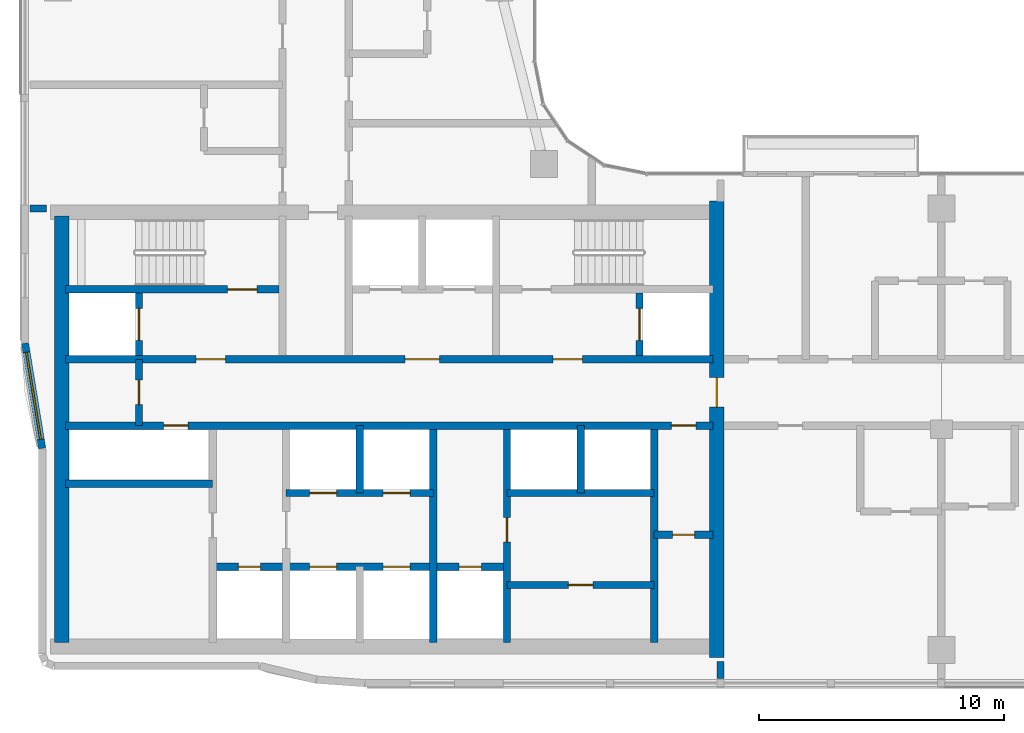
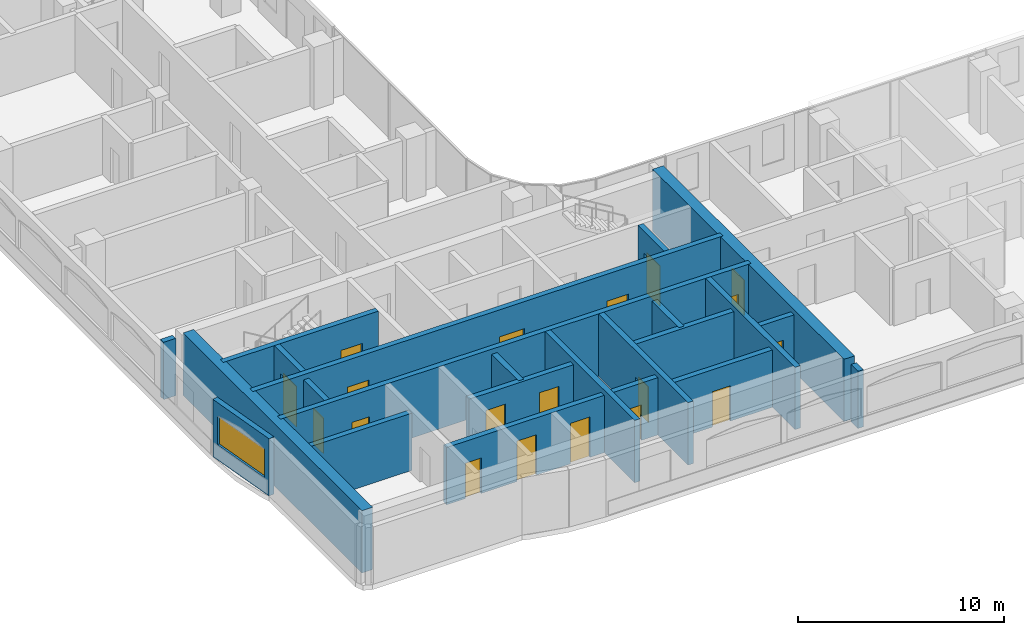
# One storey, part 7 of 22: 22 walls, 19 doors, 1 window, 20 openings.
"""IFC4 building model written with IfcOpenShell, lengths in metres."""

from ifc_helpers import new_model, si_unit, direction, frame, frame_2d, origin, place, context, subcontext, project, spatial, rectangle, extrude, material, layer, layer_set, type_object, element, fill, save


model = new_model("IFC4")

# Units and contexts
model_context = context("Model", 3, precision=1e-05, world=origin(), true_north=direction((0.0, 1.0)))
body_context = subcontext(model_context, "Body", "Model", "MODEL_VIEW")
ifc_project = project(units=[si_unit("LENGTHUNIT", "METRE"), si_unit("AREAUNIT", "SQUARE_METRE"), si_unit("VOLUMEUNIT", "CUBIC_METRE"), si_unit("PLANEANGLEUNIT", "RADIAN"), si_unit("MASSUNIT", "GRAM", prefix="KILO")], contexts=[model_context])

# Site, building, storey
site_placement = place(None, origin())
site = spatial("IfcSite", under=ifc_project, at=site_placement, CompositionType="ELEMENT")
building_placement = place(site_placement, origin())
building = spatial("IfcBuilding", under=site, at=building_placement, Name="Ogive Portal Towers", CompositionType="ELEMENT")
storey_placement = place(building_placement, frame((0.0, 0.0, 145.89990234375)))
storey = spatial("IfcBuildingStorey", under=building, at=storey_placement, Name="L35", CompositionType="ELEMENT", Elevation=145.89990234375)

# Wall
ifc_material_1 = material(Name="Concrete C60/75", Category="concrete")
ifc_layer_1 = layer(ifc_material_1, 0.300048828125)
ifc_layer_set_1 = layer_set([ifc_layer_1], Name="CORE WALL 300 C60")
wall_type_1 = type_object("IfcWallType", Name="CORE WALL 300 C60", PredefinedType="SHEAR", material=ifc_layer_set_1)
wall_1_placement = place(storey_placement, frame((46.800048828125, 21.800048828125, 0.0), z_axis=(0.0, 0.0, 1.0), x_axis=(0.0, 1.0, 0.0)))
element("IfcWall", 1, at=wall_1_placement, inside=storey, type_object=wall_type_1, Name="Core wall X3 L35", PredefinedType="SHEAR", context=body_context, shape_type="SweptSolid", body=[
    extrude(rectangle(XDim=8.699951171875, YDim=0.300048828125, at=frame_2d((4.35009765625, 0.0))), origin(), (0.0, 0.0, 1.0), 3.7001953125),
])

# Wall, opening, door
wall_2_placement = place(storey_placement, frame((49.800048828125, 21.800048828125, 0.0), z_axis=(0.0, 0.0, 1.0), x_axis=(0.0, 1.0, 0.0)))
wall_2 = element("IfcWall", 2, at=wall_2_placement, inside=storey, type_object=wall_type_1, Name="Core wall X4 L35", PredefinedType="SHEAR", context=body_context, shape_type="SweptSolid", body=[
    extrude(rectangle(XDim=8.699951171875, YDim=0.300048828125, at=frame_2d((4.35009765625, 0.0))), origin(), (0.0, 0.0, 1.0), 3.7001953125),
])
opening_1_placement = place(wall_2_placement, frame((4.10009765625, 0.0, 0.0)))
opening_1 = element("IfcOpeningElement", 3, at=opening_1_placement, cuts=wall_2, Name="Opening D13-023", PredefinedType="OPENING", context=body_context, shape_type="SweptSolid", body=[
    extrude(rectangle(XDim=1.0, YDim=2.10009765625, at=frame_2d((0.5, 1.050048828125))), frame((0.0, 0.16015625, 0.0), z_axis=(0.0, -1.0, 0.0), x_axis=(1.0, 0.0, 0.0)), (0.0, 0.0, 1.0), 0.320068359375),
])
ifc_material_2 = material(Name="Steel fire door", Category="steel")
door_type_1 = type_object("IfcDoorType", Name="DT-SWING-1000x2100-FD90S", OperationType="SINGLE_SWING_LEFT", PredefinedType="DOOR", material=ifc_material_2)
door_1_placement = place(opening_1_placement, origin())
door_1 = element("IfcDoor", 4, at=door_1_placement, inside=storey, type_object=door_type_1, Name="Door D13-023", OperationType="SINGLE_SWING_LEFT", OverallHeight=2.10009765625, OverallWidth=1.0, PredefinedType="DOOR", context=body_context, shape_type="SweptSolid", body=[
    extrude(rectangle(XDim=1.0, YDim=2.10009765625, at=frame_2d((0.5, 1.050048828125))), frame((0.0, 0.02490234375, 0.0), z_axis=(0.0, -1.0, 0.0), x_axis=(1.0, 0.0, 0.0)), (0.0, 0.0, 1.0), 0.050048828125),
])
fill(opening_1, door_1)

# Wall
wall_3_placement = place(storey_placement, frame((55.800048828125, 21.800048828125, 0.0), z_axis=(0.0, 0.0, 1.0), x_axis=(0.0, 1.0, 0.0)))
element("IfcWall", 5, at=wall_3_placement, inside=storey, type_object=wall_type_1, Name="Core wall X5 L35", PredefinedType="SHEAR", context=body_context, shape_type="SweptSolid", body=[
    extrude(rectangle(XDim=8.699951171875, YDim=0.300048828125, at=frame_2d((4.35009765625, 0.0))), origin(), (0.0, 0.0, 1.0), 3.7001953125),
])

# Wall, openings, doors
wall_4_placement = place(storey_placement, frame((31.800048828125, 30.64990234375, 0.0), z_axis=(0.0, 0.0, 1.0), x_axis=(1.0, 0.0, 0.0)))
wall_4 = element("IfcWall", 6, at=wall_4_placement, inside=storey, type_object=wall_type_1, Name="Core wall Y1 L35", PredefinedType="SHEAR", context=body_context, shape_type="SweptSolid", body=[
    extrude(rectangle(XDim=26.39990234375, YDim=0.300048828125, at=frame_2d((13.199951171875, 0.0))), origin(), (0.0, 0.0, 1.0), 3.7001953125),
])
opening_2_placement = place(wall_4_placement, frame((24.699951171875, 0.0, 0.0)))
opening_2 = element("IfcOpeningElement", 7, at=opening_2_placement, cuts=wall_4, Name="Opening D13-009", PredefinedType="OPENING", context=body_context, shape_type="SweptSolid", body=[
    extrude(rectangle(XDim=1.0, YDim=2.10009765625, at=frame_2d((0.5, 1.050048828125))), frame((0.0, 0.16015625, 0.0), z_axis=(0.0, -1.0, 0.0), x_axis=(1.0, 0.0, 0.0)), (0.0, 0.0, 1.0), 0.320068359375),
])
opening_3_placement = place(wall_4_placement, frame((4.0, 0.0, 0.0)))
opening_3 = element("IfcOpeningElement", 8, at=opening_3_placement, cuts=wall_4, Name="Opening D13-021", PredefinedType="OPENING", context=body_context, shape_type="SweptSolid", body=[
    extrude(rectangle(XDim=1.0, YDim=2.10009765625, at=frame_2d((0.5, 1.050048828125))), frame((0.0, 0.16015625, 0.0), z_axis=(0.0, -1.0, 0.0), x_axis=(1.0, 0.0, 0.0)), (0.0, 0.0, 1.0), 0.320068359375),
])
door_2_placement = place(opening_2_placement, origin())
door_2 = element("IfcDoor", 9, at=door_2_placement, inside=storey, type_object=door_type_1, Name="Door D13-009", OperationType="SINGLE_SWING_LEFT", OverallHeight=2.10009765625, OverallWidth=1.0, PredefinedType="DOOR", context=body_context, shape_type="SweptSolid", body=[
    extrude(rectangle(XDim=1.0, YDim=2.10009765625, at=frame_2d((0.5, 1.050048828125))), frame((0.0, 0.02490234375, 0.0), z_axis=(0.0, -1.0, 0.0), x_axis=(1.0, 0.0, 0.0)), (0.0, 0.0, 1.0), 0.050048828125),
])
fill(opening_2, door_2)
door_3_placement = place(opening_3_placement, origin())
door_3 = element("IfcDoor", 10, at=door_3_placement, inside=storey, type_object=door_type_1, Name="Riser access door D13-021", OperationType="SINGLE_SWING_LEFT", OverallHeight=2.10009765625, OverallWidth=1.0, PredefinedType="DOOR", context=body_context, shape_type="SweptSolid", body=[
    extrude(rectangle(XDim=1.0, YDim=2.10009765625, at=frame_2d((0.5, 1.050048828125))), frame((0.0, 0.02490234375, 0.0), z_axis=(0.0, -1.0, 0.0), x_axis=(1.0, 0.0, 0.0)), (0.0, 0.0, 1.0), 0.050048828125),
])
fill(opening_3, door_3)

wall_5_placement = place(storey_placement, frame((31.800048828125, 33.35009765625, 0.0), z_axis=(0.0, 0.0, 1.0), x_axis=(1.0, 0.0, 0.0)))
wall_5 = element("IfcWall", 11, at=wall_5_placement, inside=storey, type_object=wall_type_1, Name="Core wall Y2 L35", PredefinedType="SHEAR", context=body_context, shape_type="SweptSolid", body=[
    extrude(rectangle(XDim=26.39990234375, YDim=0.300048828125, at=frame_2d((13.199951171875, 0.0))), origin(), (0.0, 0.0, 1.0), 3.7001953125),
])
opening_4_placement = place(wall_5_placement, frame((13.85009765625, 0.0, 0.0)))
opening_4 = element("IfcOpeningElement", 12, at=opening_4_placement, cuts=wall_5, Name="Opening D13-002", PredefinedType="OPENING", context=body_context, shape_type="SweptSolid", body=[
    extrude(rectangle(XDim=1.39990234375, YDim=2.10009765625, at=frame_2d((0.699951171875, 1.050048828125))), frame((0.0, 0.16015625, 0.0), z_axis=(0.0, -1.0, 0.0), x_axis=(1.0, 0.0, 0.0)), (0.0, 0.0, 1.0), 0.320068359375),
])
opening_5_placement = place(wall_5_placement, frame((5.324951171875, 0.0, 0.0)))
opening_5 = element("IfcOpeningElement", 13, at=opening_5_placement, cuts=wall_5, Name="Opening D13-003", PredefinedType="OPENING", context=body_context, shape_type="SweptSolid", body=[
    extrude(rectangle(XDim=1.199951171875, YDim=2.10009765625, at=frame_2d((0.60009765625, 1.050048828125))), frame((0.0, 0.16015625, 0.0), z_axis=(0.0, -1.0, 0.0), x_axis=(1.0, 0.0, 0.0)), (0.0, 0.0, 1.0), 0.320068359375),
])
opening_6_placement = place(wall_5_placement, frame((19.875, 0.0, 0.0)))
opening_6 = element("IfcOpeningElement", 14, at=opening_6_placement, cuts=wall_5, Name="Opening D13-004", PredefinedType="OPENING", context=body_context, shape_type="SweptSolid", body=[
    extrude(rectangle(XDim=1.199951171875, YDim=2.10009765625, at=frame_2d((0.60009765625, 1.050048828125))), frame((0.0, 0.16015625, 0.0), z_axis=(0.0, -1.0, 0.0), x_axis=(1.0, 0.0, 0.0)), (0.0, 0.0, 1.0), 0.320068359375),
])
door_type_2 = type_object("IfcDoorType", Name="DT-SWING-1200x2100-FD90S", OperationType="SINGLE_SWING_LEFT", PredefinedType="DOOR", material=ifc_material_2)
door_4_placement = place(opening_5_placement, origin())
door_4 = element("IfcDoor", 15, at=door_4_placement, inside=storey, type_object=door_type_2, Name="Door D13-003", OperationType="SINGLE_SWING_LEFT", OverallHeight=2.10009765625, OverallWidth=1.199951171875, PredefinedType="DOOR", context=body_context, shape_type="SweptSolid", body=[
    extrude(rectangle(XDim=1.199951171875, YDim=2.10009765625, at=frame_2d((0.60009765625, 1.050048828125))), frame((0.0, 0.02490234375, 0.0), z_axis=(0.0, -1.0, 0.0), x_axis=(1.0, 0.0, 0.0)), (0.0, 0.0, 1.0), 0.050048828125),
])
fill(opening_5, door_4)
door_5_placement = place(opening_6_placement, origin())
door_5 = element("IfcDoor", 16, at=door_5_placement, inside=storey, type_object=door_type_2, Name="Door D13-004", OperationType="SINGLE_SWING_RIGHT", OverallHeight=2.10009765625, OverallWidth=1.199951171875, PredefinedType="DOOR", context=body_context, shape_type="SweptSolid", body=[
    extrude(rectangle(XDim=1.199951171875, YDim=2.10009765625, at=frame_2d((0.60009765625, 1.050048828125))), frame((0.0, 0.02490234375, 0.0), z_axis=(0.0, -1.0, 0.0), x_axis=(1.0, 0.0, 0.0)), (0.0, 0.0, 1.0), 0.050048828125),
])
fill(opening_6, door_5)
door_type_3 = type_object("IfcDoorType", Name="DT-SWING-1400x2100-FD90S", OperationType="SINGLE_SWING_LEFT", PredefinedType="DOOR", material=ifc_material_2)
door_6_placement = place(opening_4_placement, origin())
door_6 = element("IfcDoor", 17, at=door_6_placement, inside=storey, type_object=door_type_3, Name="Door D13-002", OperationType="SINGLE_SWING_RIGHT", OverallHeight=2.10009765625, OverallWidth=1.39990234375, PredefinedType="DOOR", context=body_context, shape_type="SweptSolid", body=[
    extrude(rectangle(XDim=1.39990234375, YDim=2.10009765625, at=frame_2d((0.699951171875, 1.050048828125))), frame((0.0, 0.02490234375, 0.0), z_axis=(0.0, -1.0, 0.0), x_axis=(1.0, 0.0, 0.0)), (0.0, 0.0, 1.0), 0.050048828125),
])
fill(opening_4, door_6)

# Wall, opening, door
wall_6_placement = place(storey_placement, frame((31.800048828125, 36.199951171875, 0.0), z_axis=(0.0, 0.0, 1.0), x_axis=(1.0, 0.0, 0.0)))
wall_6 = element("IfcWall", 18, at=wall_6_placement, inside=storey, type_object=wall_type_1, Name="Core wall Y3a L35", PredefinedType="SHEAR", context=body_context, shape_type="SweptSolid", body=[
    extrude(rectangle(XDim=8.699951171875, YDim=0.300048828125, at=frame_2d((4.35009765625, 0.0))), origin(), (0.0, 0.0, 1.0), 3.7001953125),
])
opening_7_placement = place(wall_6_placement, frame((6.60009765625, 0.0, 0.0)))
opening_7 = element("IfcOpeningElement", 19, at=opening_7_placement, cuts=wall_6, Name="Opening D13-005", PredefinedType="OPENING", context=body_context, shape_type="SweptSolid", body=[
    extrude(rectangle(XDim=1.199951171875, YDim=2.10009765625, at=frame_2d((0.60009765625, 1.050048828125))), frame((0.0, 0.16015625, 0.0), z_axis=(0.0, -1.0, 0.0), x_axis=(1.0, 0.0, 0.0)), (0.0, 0.0, 1.0), 0.320068359375),
])
door_7_placement = place(opening_7_placement, origin())
door_7 = element("IfcDoor", 20, at=door_7_placement, inside=storey, type_object=door_type_2, Name="Door D13-005", OperationType="SINGLE_SWING_RIGHT", OverallHeight=2.10009765625, OverallWidth=1.199951171875, PredefinedType="DOOR", context=body_context, shape_type="SweptSolid", body=[
    extrude(rectangle(XDim=1.199951171875, YDim=2.10009765625, at=frame_2d((0.60009765625, 1.050048828125))), frame((0.0, 0.02490234375, 0.0), z_axis=(0.0, -1.0, 0.0), x_axis=(1.0, 0.0, 0.0)), (0.0, 0.0, 1.0), 0.050048828125),
])
fill(opening_7, door_7)

wall_7_placement = place(storey_placement, frame((34.800048828125, 33.5, 0.0), z_axis=(0.0, 0.0, 1.0), x_axis=(0.0, 1.0, 0.0)))
wall_7 = element("IfcWall", 21, at=wall_7_placement, inside=storey, type_object=wall_type_1, Name="Core wall X8 L35", PredefinedType="SHEAR", context=body_context, shape_type="SweptSolid", body=[
    extrude(rectangle(XDim=2.550048828125, YDim=0.300048828125, at=frame_2d((1.27490234375, 0.0))), origin(), (0.0, 0.0, 1.0), 3.7001953125),
])
opening_8_placement = place(wall_7_placement, frame((0.625, 0.0, 0.0)))
opening_8 = element("IfcOpeningElement", 22, at=opening_8_placement, cuts=wall_7, Name="Opening D13-019", PredefinedType="OPENING", context=body_context, shape_type="SweptSolid", body=[
    extrude(rectangle(XDim=1.300048828125, YDim=2.39990234375, at=frame_2d((0.64990234375, 1.199951171875))), frame((0.0, 0.16015625, 0.0), z_axis=(0.0, -1.0, 0.0), x_axis=(1.0, 0.0, 0.0)), (0.0, 0.0, 1.0), 0.320068359375),
])
ifc_material_3 = material(Name="Stainless steel", Category="steel")
door_type_4 = type_object("IfcDoorType", Name="DT-LD-1300x2400", OperationType="SLIDING_TO_LEFT", PredefinedType="DOOR", material=ifc_material_3)
door_8_placement = place(opening_8_placement, origin())
door_8 = element("IfcDoor", 23, at=door_8_placement, inside=storey, type_object=door_type_4, Name="Door D13-019", OperationType="SLIDING_TO_LEFT", OverallHeight=2.39990234375, OverallWidth=1.300048828125, PredefinedType="DOOR", context=body_context, shape_type="SweptSolid", body=[
    extrude(rectangle(XDim=1.300048828125, YDim=2.39990234375, at=frame_2d((0.64990234375, 1.199951171875))), frame((0.0, 0.02490234375, 0.0), z_axis=(0.0, -1.0, 0.0), x_axis=(1.0, 0.0, 0.0)), (0.0, 0.0, 1.0), 0.050048828125),
])
fill(opening_8, door_8)

wall_8_placement = place(storey_placement, frame((55.199951171875, 33.5, 0.0), z_axis=(0.0, 0.0, 1.0), x_axis=(0.0, 1.0, 0.0)))
wall_8 = element("IfcWall", 24, at=wall_8_placement, inside=storey, type_object=wall_type_1, Name="Core wall X10 L35", PredefinedType="SHEAR", context=body_context, shape_type="SweptSolid", body=[
    extrude(rectangle(XDim=2.550048828125, YDim=0.300048828125, at=frame_2d((1.27490234375, 0.0))), origin(), (0.0, 0.0, 1.0), 3.7001953125),
])
opening_9_placement = place(wall_8_placement, frame((0.625, 0.0, 0.0)))
opening_9 = element("IfcOpeningElement", 25, at=opening_9_placement, cuts=wall_8, Name="Opening D13-020", PredefinedType="OPENING", context=body_context, shape_type="SweptSolid", body=[
    extrude(rectangle(XDim=1.300048828125, YDim=2.39990234375, at=frame_2d((0.64990234375, 1.199951171875))), frame((0.0, 0.16015625, 0.0), z_axis=(0.0, -1.0, 0.0), x_axis=(1.0, 0.0, 0.0)), (0.0, 0.0, 1.0), 0.320068359375),
])
door_9_placement = place(opening_9_placement, origin())
door_9 = element("IfcDoor", 26, at=door_9_placement, inside=storey, type_object=door_type_4, Name="Door D13-020", OperationType="SLIDING_TO_LEFT", OverallHeight=2.39990234375, OverallWidth=1.300048828125, PredefinedType="DOOR", context=body_context, shape_type="SweptSolid", body=[
    extrude(rectangle(XDim=1.300048828125, YDim=2.39990234375, at=frame_2d((0.64990234375, 1.199951171875))), frame((0.0, 0.02490234375, 0.0), z_axis=(0.0, -1.0, 0.0), x_axis=(1.0, 0.0, 0.0)), (0.0, 0.0, 1.0), 0.050048828125),
])
fill(opening_9, door_9)

# Wall
ifc_layer_2 = layer(ifc_material_1, 0.60009765625)
ifc_layer_set_2 = layer_set([ifc_layer_2], Name="CORE WALL 600 C60")
wall_type_2 = type_object("IfcWallType", Name="CORE WALL 600 C60", PredefinedType="SHEAR", material=ifc_layer_set_2)
wall_9_placement = place(storey_placement, frame((31.64990234375, 21.800048828125, 0.0), z_axis=(0.0, 0.0, 1.0), x_axis=(0.0, 1.0, 0.0)))
element("IfcWall", 27, at=wall_9_placement, inside=storey, type_object=wall_type_2, Name="Core wall W L35", PredefinedType="SHEAR", context=body_context, shape_type="SweptSolid", body=[
    extrude(rectangle(XDim=17.39990234375, YDim=0.60009765625, at=frame_2d((8.699951171875, 0.0))), origin(), (0.0, 0.0, 1.0), 3.7001953125),
])

# Wall, opening, door
wall_10_placement = place(storey_placement, frame((58.35009765625, 21.199951171875, 0.0), z_axis=(0.0, 0.0, 1.0), x_axis=(0.0, 1.0, 0.0)))
wall_10 = element("IfcWall", 28, at=wall_10_placement, inside=storey, type_object=wall_type_2, Name="Core wall E L35", PredefinedType="SHEAR", context=body_context, shape_type="SweptSolid", body=[
    extrude(rectangle(XDim=18.60009765625, YDim=0.60009765625, at=frame_2d((9.300048828125, 0.0))), origin(), (0.0, 0.0, 1.0), 3.7001953125),
])
opening_10_placement = place(wall_10_placement, frame((10.199951171875, 0.0, 0.0)))
opening_10 = element("IfcOpeningElement", 29, at=opening_10_placement, cuts=wall_10, Name="Opening D13-011", PredefinedType="OPENING", context=body_context, shape_type="SweptSolid", body=[
    extrude(rectangle(XDim=1.199951171875, YDim=2.10009765625, at=frame_2d((0.60009765625, 1.050048828125))), frame((0.0, 0.31005859375, 0.0), z_axis=(0.0, -1.0, 0.0), x_axis=(1.0, 0.0, 0.0)), (0.0, 0.0, 1.0), 0.6201171875),
])
door_10_placement = place(opening_10_placement, origin())
door_10 = element("IfcDoor", 30, at=door_10_placement, inside=storey, type_object=door_type_2, Name="Door D13-011", OperationType="SINGLE_SWING_LEFT", OverallHeight=2.10009765625, OverallWidth=1.199951171875, PredefinedType="DOOR", context=body_context, shape_type="SweptSolid", body=[
    extrude(rectangle(XDim=1.199951171875, YDim=2.10009765625, at=frame_2d((0.60009765625, 1.050048828125))), frame((0.0, 0.02490234375, 0.0), z_axis=(0.0, -1.0, 0.0), x_axis=(1.0, 0.0, 0.0)), (0.0, 0.0, 1.0), 0.050048828125),
])
fill(opening_10, door_10)

# Wall, opening, window
ifc_material_4 = material(Name="Limestone cladding on lightweight block wall", Category="masonry")
ifc_layer_3 = layer(ifc_material_4, 0.300048828125)
ifc_layer_set_3 = layer_set([ifc_layer_3], Name="EXTERNAL WALL 300 STONE")
wall_type_3 = type_object("IfcWallType", Name="EXTERNAL WALL 300 STONE", PredefinedType="SOLIDWALL", material=ifc_layer_set_3)
wall_11_placement = place(storey_placement, frame((30.15185546875, 34.000244140625, 0.0), z_axis=(0.0, 0.0, 1.0), x_axis=(0.160697303067, -0.987003736967, 0.0)))
wall_11 = element("IfcWall", 31, at=wall_11_placement, inside=storey, type_object=wall_type_3, Name="A:L35:f25:r0:wall", PredefinedType="SOLIDWALL", context=body_context, shape_type="SweptSolid", body=[
    extrude(rectangle(XDim=4.3330078125, YDim=0.300048828125, at=frame_2d((2.16650390625, 0.0))), origin(), (0.0, 0.0, 1.0), 3.400146484375),
])
opening_11_placement = place(wall_11_placement, frame((0.366455078125, 0.0, 0.89990234375)))
opening_11 = element("IfcOpeningElement", 32, at=opening_11_placement, cuts=wall_11, Name="Opening WN14", PredefinedType="OPENING", context=body_context, shape_type="SweptSolid", body=[
    extrude(rectangle(XDim=3.60009765625, YDim=1.699951171875, at=frame_2d((1.800048828125, 0.85009765625))), frame((0.0, 0.16015625, 0.0), z_axis=(0.0, -1.0, 0.0), x_axis=(1.0, 0.0, 0.0)), (0.0, 0.0, 1.0), 0.320068359375),
])
ifc_material_5 = material(Name="Glass, clear low-iron insulated glazing", Category="glass")
window_type = type_object("IfcWindowType", Name="WINDOW RIBBON LANCET 3600x1700", PartitioningType="TRIPLE_PANEL_VERTICAL", PredefinedType="WINDOW", material=ifc_material_5)
window_placement = place(opening_11_placement, origin())
window = element("IfcWindow", 33, at=window_placement, inside=storey, type_object=window_type, Name="A:L35:f25:r0:w0", OverallHeight=1.699951171875, OverallWidth=3.60009765625, PartitioningType="SINGLE_PANEL", PredefinedType="WINDOW", context=body_context, shape_type="SweptSolid", body=[
    extrude(rectangle(XDim=3.60009765625, YDim=1.699951171875, at=frame_2d((1.800048828125, 0.85009765625))), frame((0.0, 0.030029296875, 0.0), z_axis=(0.0, -1.0, 0.0), x_axis=(1.0, 0.0, 0.0)), (0.0, 0.0, 1.0), 0.06005859375),
])
fill(opening_11, window)

# Wall, opening, door
ifc_material_6 = material(Name="Gypsum board partition on steel studs", Category="steel")
ifc_layer_4 = layer(ifc_material_6, 0.300048828125)
ifc_layer_set_4 = layer_set([ifc_layer_4], Name="WT-PART-300")
wall_type_4 = type_object("IfcWallType", Name="WT-PART-300", PredefinedType="PARTITIONING", material=ifc_layer_set_4)
wall_12_placement = place(storey_placement, frame((49.800048828125, 24.14990234375, 0.0), z_axis=(0.0, 0.0, 1.0), x_axis=(1.0, 0.0, 0.0)))
wall_12 = element("IfcWall", 34, at=wall_12_placement, inside=storey, type_object=wall_type_4, Name="Wall pw:001:L35", PredefinedType="PARTITIONING", context=body_context, shape_type="SweptSolid", body=[
    extrude(rectangle(XDim=6.0, YDim=0.300048828125, at=frame_2d((3.0, 0.0))), origin(), (0.0, 0.0, 1.0), 3.400146484375),
])
opening_12_placement = place(wall_12_placement, frame((2.5, 0.0, 0.0)))
opening_12 = element("IfcOpeningElement", 35, at=opening_12_placement, cuts=wall_12, Name="Opening D13-024", PredefinedType="OPENING", context=body_context, shape_type="SweptSolid", body=[
    extrude(rectangle(XDim=1.0, YDim=2.10009765625, at=frame_2d((0.5, 1.050048828125))), frame((0.0, 0.16015625, 0.0), z_axis=(0.0, -1.0, 0.0), x_axis=(1.0, 0.0, 0.0)), (0.0, 0.0, 1.0), 0.320068359375),
])
door_type_5 = type_object("IfcDoorType", Name="DT-SWING-1000x2100-FD60S", OperationType="SINGLE_SWING_LEFT", PredefinedType="DOOR", material=ifc_material_2)
door_11_placement = place(opening_12_placement, origin())
door_11 = element("IfcDoor", 36, at=door_11_placement, inside=storey, type_object=door_type_5, Name="Door D13-024", OperationType="SINGLE_SWING_RIGHT", OverallHeight=2.10009765625, OverallWidth=1.0, PredefinedType="DOOR", context=body_context, shape_type="SweptSolid", body=[
    extrude(rectangle(XDim=1.0, YDim=2.10009765625, at=frame_2d((0.5, 1.050048828125))), frame((0.0, 0.02490234375, 0.0), z_axis=(0.0, -1.0, 0.0), x_axis=(1.0, 0.0, 0.0)), (0.0, 0.0, 1.0), 0.050048828125),
])
fill(opening_12, door_11)

wall_13_placement = place(storey_placement, frame((55.800048828125, 26.199951171875, 0.0), z_axis=(0.0, 0.0, 1.0), x_axis=(1.0, 0.0, 0.0)))
wall_13 = element("IfcWall", 37, at=wall_13_placement, inside=storey, type_object=wall_type_4, Name="Wall pw:003:L35", PredefinedType="PARTITIONING", context=body_context, shape_type="SweptSolid", body=[
    extrude(rectangle(XDim=2.39990234375, YDim=0.300048828125, at=frame_2d((1.199951171875, 0.0))), origin(), (0.0, 0.0, 1.0), 3.400146484375),
])
opening_13_placement = place(wall_13_placement, frame((0.75, 0.0, 0.0)))
opening_13 = element("IfcOpeningElement", 38, at=opening_13_placement, cuts=wall_13, Name="Opening D13-010", PredefinedType="OPENING", context=body_context, shape_type="SweptSolid", body=[
    extrude(rectangle(XDim=0.89990234375, YDim=2.10009765625, at=frame_2d((0.449951171875, 1.050048828125))), frame((0.0, 0.16015625, 0.0), z_axis=(0.0, -1.0, 0.0), x_axis=(1.0, 0.0, 0.0)), (0.0, 0.0, 1.0), 0.320068359375),
])
door_type_6 = type_object("IfcDoorType", Name="DT-SWING-900x2100-FD60S", OperationType="SINGLE_SWING_LEFT", PredefinedType="DOOR", material=ifc_material_2)
door_12_placement = place(opening_13_placement, origin())
door_12 = element("IfcDoor", 39, at=door_12_placement, inside=storey, type_object=door_type_6, Name="Door D13-010", OperationType="SINGLE_SWING_RIGHT", OverallHeight=2.10009765625, OverallWidth=0.89990234375, PredefinedType="DOOR", context=body_context, shape_type="SweptSolid", body=[
    extrude(rectangle(XDim=0.89990234375, YDim=2.10009765625, at=frame_2d((0.449951171875, 1.050048828125))), frame((0.0, 0.02490234375, 0.0), z_axis=(0.0, -1.0, 0.0), x_axis=(1.0, 0.0, 0.0)), (0.0, 0.0, 1.0), 0.050048828125),
])
fill(opening_13, door_12)

# Walls
wall_14_placement = place(storey_placement, frame((31.800048828125, 28.277099609375, 0.0), z_axis=(0.0, 0.0, 1.0), x_axis=(1.0, 0.0, 0.0)))
element("IfcWall", 40, at=wall_14_placement, inside=storey, type_object=wall_type_4, Name="Wall pw:006:L35", PredefinedType="PARTITIONING", context=body_context, shape_type="SweptSolid", body=[
    extrude(rectangle(XDim=6.0, YDim=0.300048828125, at=frame_2d((3.0, 0.0))), origin(), (0.0, 0.0, 1.0), 3.400146484375),
])
ifc_layer_5 = layer(ifc_material_6, 0.300048828125)
ifc_layer_set_5 = layer_set([ifc_layer_5], Name="WT-PART-300-EI 60")
wall_type_5 = type_object("IfcWallType", Name="WT-PART-300-EI 60", PredefinedType="PARTITIONING", material=ifc_layer_set_5)
for number, where, z_axis, x_axis, name in (
    (41, (30.35009765625, 39.5, 0.0), (0.0, 0.0, 1.0), (1.0, 0.0, 0.0), "Wall L35:w013"),
    (42, (58.5, 20.35009765625, 0.0), (0.0, 0.0, 1.0), (0.0, 1.0, 0.0), "Wall L35:w042"),
):
    element("IfcWall", number, at=place(storey_placement, frame(where, z_axis=z_axis, x_axis=x_axis)), inside=storey, type_object=wall_type_5, Name=name, PredefinedType="PARTITIONING", context=body_context, shape_type="SweptSolid", body=[
        extrude(rectangle(XDim=0.679931640625, YDim=0.300048828125, at=frame_2d((0.33984375, 0.0))), origin(), (0.0, 0.0, 1.0), 3.400146484375),
    ])

# Wall, openings, doors
ifc_material_7 = material(Name="Concrete C40/50", Category="concrete")
ifc_layer_6 = layer(ifc_material_7, 0.300048828125)
ifc_layer_set_6 = layer_set([ifc_layer_6], Name="WT-SHAFT-300")
wall_type_6 = type_object("IfcWallType", Name="WT-SHAFT-300", PredefinedType="SOLIDWALL", material=ifc_layer_set_6)
wall_15_placement = place(storey_placement, frame((37.800048828125, 24.89990234375, 0.0), z_axis=(0.0, 0.0, 1.0), x_axis=(1.0, 0.0, 0.0)))
wall_15 = element("IfcWall", 43, at=wall_15_placement, inside=storey, type_object=wall_type_6, Name="Wall pw:002:L35", PredefinedType="SOLIDWALL", context=body_context, shape_type="SweptSolid", body=[
    extrude(rectangle(XDim=12.0, YDim=0.300048828125, at=frame_2d((6.0, 0.0))), origin(), (0.0, 0.0, 1.0), 3.400146484375),
])
opening_14_placement = place(wall_15_placement, frame((1.050048828125, 0.0, 0.0)))
opening_14 = element("IfcOpeningElement", 44, at=opening_14_placement, cuts=wall_15, Name="Opening D13-007", PredefinedType="OPENING", context=body_context, shape_type="SweptSolid", body=[
    extrude(rectangle(XDim=0.89990234375, YDim=2.10009765625, at=frame_2d((0.449951171875, 1.050048828125))), frame((0.0, 0.16015625, 0.0), z_axis=(0.0, -1.0, 0.0), x_axis=(1.0, 0.0, 0.0)), (0.0, 0.0, 1.0), 0.320068359375),
])
opening_15_placement = place(wall_15_placement, frame((10.050048828125, 0.0, 0.0)))
opening_15 = element("IfcOpeningElement", 45, at=opening_15_placement, cuts=wall_15, Name="Opening D13-008", PredefinedType="OPENING", context=body_context, shape_type="SweptSolid", body=[
    extrude(rectangle(XDim=0.89990234375, YDim=2.10009765625, at=frame_2d((0.449951171875, 1.050048828125))), frame((0.0, 0.16015625, 0.0), z_axis=(0.0, -1.0, 0.0), x_axis=(1.0, 0.0, 0.0)), (0.0, 0.0, 1.0), 0.320068359375),
])
opening_16_placement = place(wall_15_placement, frame((3.949951171875, 0.0, 0.0)))
opening_16 = element("IfcOpeningElement", 46, at=opening_16_placement, cuts=wall_15, Name="Opening D13-013", PredefinedType="OPENING", context=body_context, shape_type="SweptSolid", body=[
    extrude(rectangle(XDim=1.10009765625, YDim=2.39990234375, at=frame_2d((0.550048828125, 1.199951171875))), frame((0.0, 0.16015625, 0.0), z_axis=(0.0, -1.0, 0.0), x_axis=(1.0, 0.0, 0.0)), (0.0, 0.0, 1.0), 0.320068359375),
])
opening_17_placement = place(wall_15_placement, frame((6.949951171875, 0.0, 0.0)))
opening_17 = element("IfcOpeningElement", 47, at=opening_17_placement, cuts=wall_15, Name="Opening D13-014", PredefinedType="OPENING", context=body_context, shape_type="SweptSolid", body=[
    extrude(rectangle(XDim=1.10009765625, YDim=2.39990234375, at=frame_2d((0.550048828125, 1.199951171875))), frame((0.0, 0.16015625, 0.0), z_axis=(0.0, -1.0, 0.0), x_axis=(1.0, 0.0, 0.0)), (0.0, 0.0, 1.0), 0.320068359375),
])
door_type_7 = type_object("IfcDoorType", Name="DT-LD-1100x2400", OperationType="SLIDING_TO_LEFT", PredefinedType="DOOR", material=ifc_material_3)
door_13_placement = place(opening_16_placement, origin())
door_13 = element("IfcDoor", 48, at=door_13_placement, inside=storey, type_object=door_type_7, Name="Door D13-013", OperationType="SLIDING_TO_LEFT", OverallHeight=2.39990234375, OverallWidth=1.10009765625, PredefinedType="DOOR", context=body_context, shape_type="SweptSolid", body=[
    extrude(rectangle(XDim=1.10009765625, YDim=2.39990234375, at=frame_2d((0.550048828125, 1.199951171875))), frame((0.0, 0.02490234375, 0.0), z_axis=(0.0, -1.0, 0.0), x_axis=(1.0, 0.0, 0.0)), (0.0, 0.0, 1.0), 0.050048828125),
])
fill(opening_16, door_13)
door_14_placement = place(opening_17_placement, origin())
door_14 = element("IfcDoor", 49, at=door_14_placement, inside=storey, type_object=door_type_7, Name="Door D13-014", OperationType="SLIDING_TO_LEFT", OverallHeight=2.39990234375, OverallWidth=1.10009765625, PredefinedType="DOOR", context=body_context, shape_type="SweptSolid", body=[
    extrude(rectangle(XDim=1.10009765625, YDim=2.39990234375, at=frame_2d((0.550048828125, 1.199951171875))), frame((0.0, 0.02490234375, 0.0), z_axis=(0.0, -1.0, 0.0), x_axis=(1.0, 0.0, 0.0)), (0.0, 0.0, 1.0), 0.050048828125),
])
fill(opening_17, door_14)
door_type_8 = type_object("IfcDoorType", Name="DT-SWING-900x2100-FD90S", OperationType="SINGLE_SWING_LEFT", PredefinedType="DOOR", material=ifc_material_2)
door_15_placement = place(opening_14_placement, origin())
door_15 = element("IfcDoor", 50, at=door_15_placement, inside=storey, type_object=door_type_8, Name="Riser access door D13-007", OperationType="SINGLE_SWING_LEFT", OverallHeight=2.10009765625, OverallWidth=0.89990234375, PredefinedType="DOOR", context=body_context, shape_type="SweptSolid", body=[
    extrude(rectangle(XDim=0.89990234375, YDim=2.10009765625, at=frame_2d((0.449951171875, 1.050048828125))), frame((0.0, 0.02490234375, 0.0), z_axis=(0.0, -1.0, 0.0), x_axis=(1.0, 0.0, 0.0)), (0.0, 0.0, 1.0), 0.050048828125),
])
fill(opening_14, door_15)
door_16_placement = place(opening_15_placement, origin())
door_16 = element("IfcDoor", 51, at=door_16_placement, inside=storey, type_object=door_type_8, Name="Riser access door D13-008", OperationType="SINGLE_SWING_RIGHT", OverallHeight=2.10009765625, OverallWidth=0.89990234375, PredefinedType="DOOR", context=body_context, shape_type="SweptSolid", body=[
    extrude(rectangle(XDim=0.89990234375, YDim=2.10009765625, at=frame_2d((0.449951171875, 1.050048828125))), frame((0.0, 0.02490234375, 0.0), z_axis=(0.0, -1.0, 0.0), x_axis=(1.0, 0.0, 0.0)), (0.0, 0.0, 1.0), 0.050048828125),
])
fill(opening_15, door_16)

wall_16_placement = place(storey_placement, frame((40.800048828125, 27.89990234375, 0.0), z_axis=(0.0, 0.0, 1.0), x_axis=(1.0, 0.0, 0.0)))
wall_16 = element("IfcWall", 52, at=wall_16_placement, inside=storey, type_object=wall_type_6, Name="Wall pw:004:L35", PredefinedType="SOLIDWALL", context=body_context, shape_type="SweptSolid", body=[
    extrude(rectangle(XDim=6.0, YDim=0.300048828125, at=frame_2d((3.0, 0.0))), origin(), (0.0, 0.0, 1.0), 3.400146484375),
])
opening_18_placement = place(wall_16_placement, frame((0.949951171875, 0.0, 0.0)))
opening_18 = element("IfcOpeningElement", 53, at=opening_18_placement, cuts=wall_16, Name="Opening D13-015", PredefinedType="OPENING", context=body_context, shape_type="SweptSolid", body=[
    extrude(rectangle(XDim=1.10009765625, YDim=2.39990234375, at=frame_2d((0.550048828125, 1.199951171875))), frame((0.0, 0.16015625, 0.0), z_axis=(0.0, -1.0, 0.0), x_axis=(1.0, 0.0, 0.0)), (0.0, 0.0, 1.0), 0.320068359375),
])
opening_19_placement = place(wall_16_placement, frame((3.949951171875, 0.0, 0.0)))
opening_19 = element("IfcOpeningElement", 54, at=opening_19_placement, cuts=wall_16, Name="Opening D13-016", PredefinedType="OPENING", context=body_context, shape_type="SweptSolid", body=[
    extrude(rectangle(XDim=1.10009765625, YDim=2.39990234375, at=frame_2d((0.550048828125, 1.199951171875))), frame((0.0, 0.16015625, 0.0), z_axis=(0.0, -1.0, 0.0), x_axis=(1.0, 0.0, 0.0)), (0.0, 0.0, 1.0), 0.320068359375),
])
door_17_placement = place(opening_18_placement, origin())
door_17 = element("IfcDoor", 55, at=door_17_placement, inside=storey, type_object=door_type_7, Name="Door D13-015", OperationType="SLIDING_TO_LEFT", OverallHeight=2.39990234375, OverallWidth=1.10009765625, PredefinedType="DOOR", context=body_context, shape_type="SweptSolid", body=[
    extrude(rectangle(XDim=1.10009765625, YDim=2.39990234375, at=frame_2d((0.550048828125, 1.199951171875))), frame((0.0, 0.02490234375, 0.0), z_axis=(0.0, -1.0, 0.0), x_axis=(1.0, 0.0, 0.0)), (0.0, 0.0, 1.0), 0.050048828125),
])
fill(opening_18, door_17)
door_18_placement = place(opening_19_placement, origin())
door_18 = element("IfcDoor", 56, at=door_18_placement, inside=storey, type_object=door_type_7, Name="Door D13-016", OperationType="SLIDING_TO_LEFT", OverallHeight=2.39990234375, OverallWidth=1.10009765625, PredefinedType="DOOR", context=body_context, shape_type="SweptSolid", body=[
    extrude(rectangle(XDim=1.10009765625, YDim=2.39990234375, at=frame_2d((0.550048828125, 1.199951171875))), frame((0.0, 0.02490234375, 0.0), z_axis=(0.0, -1.0, 0.0), x_axis=(1.0, 0.0, 0.0)), (0.0, 0.0, 1.0), 0.050048828125),
])
fill(opening_19, door_18)

# Wall
wall_17_placement = place(storey_placement, frame((49.800048828125, 27.89990234375, 0.0), z_axis=(0.0, 0.0, 1.0), x_axis=(1.0, 0.0, 0.0)))
element("IfcWall", 57, at=wall_17_placement, inside=storey, type_object=wall_type_6, Name="Wall pw:005:L35", PredefinedType="SOLIDWALL", context=body_context, shape_type="SweptSolid", body=[
    extrude(rectangle(XDim=6.0, YDim=0.300048828125, at=frame_2d((3.0, 0.0))), origin(), (0.0, 0.0, 1.0), 3.400146484375),
])

# Wall, opening, door
wall_18_placement = place(storey_placement, frame((34.800048828125, 30.64990234375, 0.0), z_axis=(0.0, 0.0, 1.0), x_axis=(0.0, 1.0, 0.0)))
wall_18 = element("IfcWall", 58, at=wall_18_placement, inside=storey, type_object=wall_type_6, Name="Wall pw:007:L35", PredefinedType="SOLIDWALL", context=body_context, shape_type="SweptSolid", body=[
    extrude(rectangle(XDim=2.7001953125, YDim=0.300048828125, at=frame_2d((1.35009765625, 0.0))), origin(), (0.0, 0.0, 1.0), 3.400146484375),
])
opening_20_placement = place(wall_18_placement, frame((0.85009765625, 0.0, 0.0)))
opening_20 = element("IfcOpeningElement", 59, at=opening_20_placement, cuts=wall_18, Name="Opening D13-025", PredefinedType="OPENING", context=body_context, shape_type="SweptSolid", body=[
    extrude(rectangle(XDim=1.0, YDim=2.10009765625, at=frame_2d((0.5, 1.050048828125))), frame((0.0, 0.16015625, 0.0), z_axis=(0.0, -1.0, 0.0), x_axis=(1.0, 0.0, 0.0)), (0.0, 0.0, 1.0), 0.320068359375),
])
door_19_placement = place(opening_20_placement, origin())
door_19 = element("IfcDoor", 60, at=door_19_placement, inside=storey, type_object=door_type_1, Name="Door D13-025", OperationType="SINGLE_SWING_LEFT", OverallHeight=2.10009765625, OverallWidth=1.0, PredefinedType="DOOR", context=body_context, shape_type="SweptSolid", body=[
    extrude(rectangle(XDim=1.0, YDim=2.10009765625, at=frame_2d((0.5, 1.050048828125))), frame((0.0, 0.02490234375, 0.0), z_axis=(0.0, -1.0, 0.0), x_axis=(1.0, 0.0, 0.0)), (0.0, 0.0, 1.0), 0.050048828125),
])
fill(opening_20, door_19)

# Walls
for number, where, z_axis, x_axis, name in (
    (61, (43.800048828125, 27.89990234375, 0.0), (0.0, 0.0, 1.0), (0.0, 1.0, 0.0), "Wall pw:009:L35"),
    (62, (52.800048828125, 27.89990234375, 0.0), (0.0, 0.0, 1.0), (0.0, 1.0, 0.0), "Wall pw:011:L35"),
):
    element("IfcWall", number, at=place(storey_placement, frame(where, z_axis=z_axis, x_axis=x_axis)), inside=storey, type_object=wall_type_6, Name=name, PredefinedType="SOLIDWALL", context=body_context, shape_type="SweptSolid", body=[
        extrude(rectangle(XDim=2.75, YDim=0.300048828125, at=frame_2d((1.375, 0.0))), origin(), (0.0, 0.0, 1.0), 3.400146484375),
    ])

save(model, "model.ifc")
